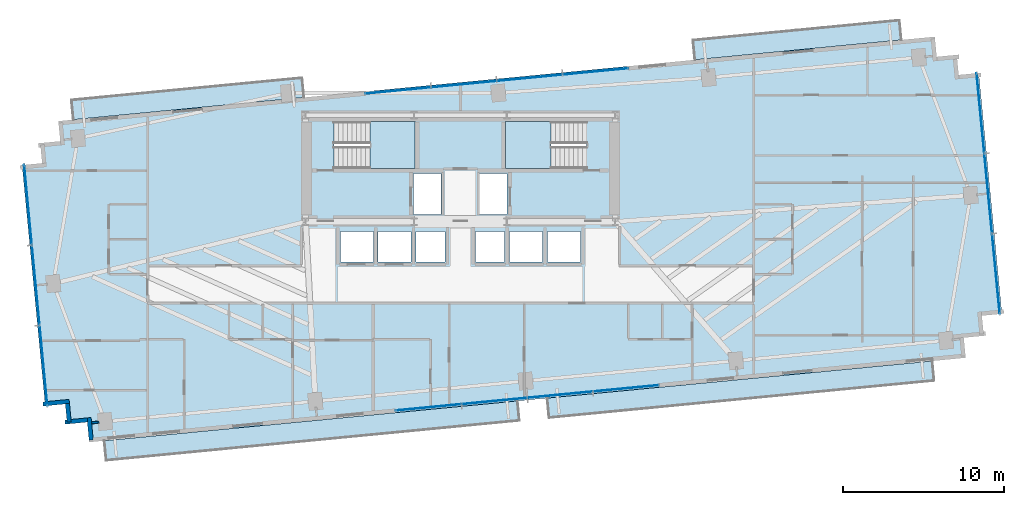
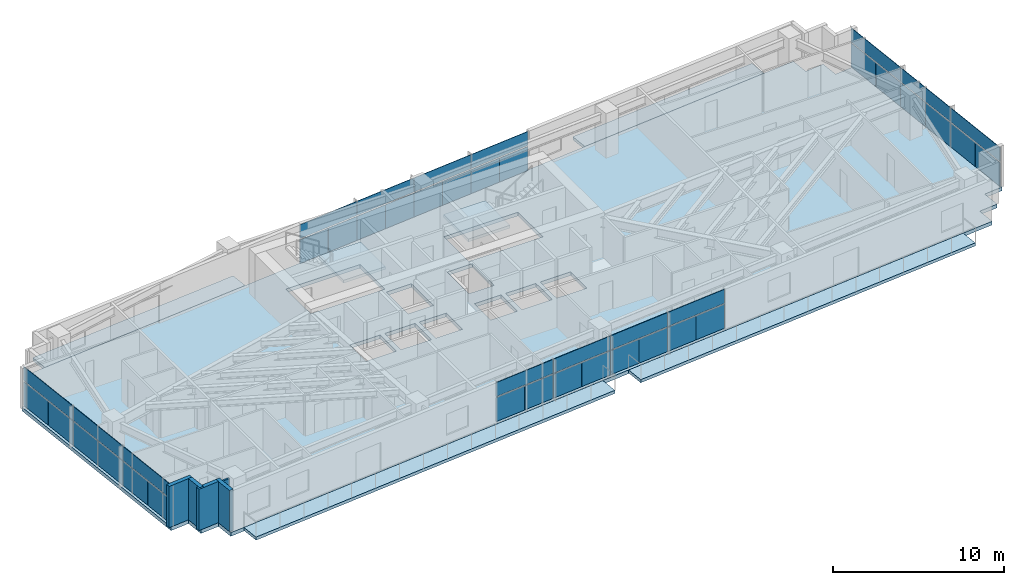
# One storey, part 18 of 25: 42 plates, 7 slabs, 5 walls, 6 elements without a shape of their own.
"""IFC4 building model written with IfcOpenShell, lengths in metres."""

from ifc_helpers import new_model, si_unit, direction, frame, frame_2d, origin, origin_2d, place, context, subcontext, project, spatial, polyline, rectangle, outline, extrude, source, transform, mapped, material, layer, layer_set, type_object, type_shapes, element, aggregate, save


model = new_model("IFC4")

# Units and contexts
model_context = context("Model", 3, precision=1e-05, world=origin(), true_north=direction((0.0, 1.0)))
body_context = subcontext(model_context, "Body", "Model", "MODEL_VIEW")
ifc_project = project(units=[si_unit("LENGTHUNIT", "METRE"), si_unit("AREAUNIT", "SQUARE_METRE"), si_unit("VOLUMEUNIT", "CUBIC_METRE"), si_unit("PLANEANGLEUNIT", "RADIAN"), si_unit("MASSUNIT", "GRAM", prefix="KILO")], contexts=[model_context])

# Site, building, storey
site_placement = place(None, origin())
site = spatial("IfcSite", under=ifc_project, at=site_placement, CompositionType="ELEMENT")
building_placement = place(site_placement, origin())
building = spatial("IfcBuilding", under=site, at=building_placement, Name="Astriad Promenade Condominiums", CompositionType="ELEMENT")
storey_placement = place(building_placement, frame((0.0, 0.0, 81.0)))
storey = spatial("IfcBuildingStorey", under=building, at=storey_placement, Name="L22", CompositionType="ELEMENT", Elevation=81.0)

# Slab
ifc_material_1 = material(Name="Concrete C50/60", Category="concrete")
ifc_layer_1 = layer(ifc_material_1, 0.260009765625)
ifc_layer_set_1 = layer_set([ifc_layer_1], Name="Concrete C50/60")
slab_type_1 = type_object("IfcSlabType", Name="CONCRETE TOWER FLOOR SLAB 260", PredefinedType="FLOOR", material=ifc_layer_set_1)
slab_1_placement = place(storey_placement, frame((0.0, 0.0, -0.260009765625)))
element("IfcSlab", 1, at=slab_1_placement, inside=storey, type_object=slab_type_1, Name="Structural Floor Slab (L22)", PredefinedType="FLOOR", context=body_context, shape_type="SweptSolid", body=[
    extrude(outline(polyline([(12.984130859375, 3.7294921875), (67.332763671875, 8.962646484375), (67.212890625, 10.206787109375), (68.457275390625, 10.32666015625), (68.33740234375, 11.57080078125), (69.58154296875, 11.690673828125), (68.14404296875, 26.62158203125), (66.899658203125, 26.501953125), (66.77978515625, 27.74609375), (65.53564453125, 27.626220703125), (65.416015625, 28.87060546875), (11.067138671875, 23.637451171875), (11.18701171875, 22.39306640625), (9.94287109375, 22.273193359375), (10.0625, 21.029052734375), (8.818359375, 20.9091796875), (10.256103515625, 5.978271484375), (11.500244140625, 6.09814453125), (11.6201171875, 4.85400390625), (12.8642578125, 4.9736328125), (12.984130859375, 3.7294921875)]), holes=[polyline([(28.175048828125, 20.699951171875), (33.175048828125, 20.699951171875), (33.175048828125, 23.60009765625), (28.175048828125, 23.60009765625), (28.175048828125, 20.699951171875)]), polyline([(38.824951171875, 20.699951171875), (43.824951171875, 20.699951171875), (43.824951171875, 23.60009765625), (38.824951171875, 23.60009765625), (38.824951171875, 20.699951171875)]), polyline([(33.10009765625, 17.85009765625), (34.800048828125, 17.85009765625), (34.800048828125, 20.39990234375), (33.10009765625, 20.39990234375), (33.10009765625, 17.85009765625)]), polyline([(37.199951171875, 17.85009765625), (38.89990234375, 17.85009765625), (38.89990234375, 20.39990234375), (37.199951171875, 20.39990234375), (37.199951171875, 17.85009765625)]), polyline([(28.550048828125, 14.89990234375), (30.60009765625, 14.89990234375), (30.60009765625, 16.800048828125), (28.550048828125, 16.800048828125), (28.550048828125, 14.89990234375)]), polyline([(30.89990234375, 14.89990234375), (32.949951171875, 14.89990234375), (32.949951171875, 16.800048828125), (30.89990234375, 16.800048828125), (30.89990234375, 14.89990234375)]), polyline([(33.25, 14.89990234375), (35.050048828125, 14.89990234375), (35.050048828125, 16.800048828125), (33.25, 16.800048828125), (33.25, 14.89990234375)]), polyline([(36.949951171875, 14.89990234375), (38.75, 14.89990234375), (38.75, 16.800048828125), (36.949951171875, 16.800048828125), (36.949951171875, 14.89990234375)]), polyline([(39.050048828125, 14.89990234375), (41.10009765625, 14.89990234375), (41.10009765625, 16.800048828125), (39.050048828125, 16.800048828125), (39.050048828125, 14.89990234375)]), polyline([(41.39990234375, 14.89990234375), (43.449951171875, 14.89990234375), (43.449951171875, 16.800048828125), (41.39990234375, 16.800048828125), (41.39990234375, 14.89990234375)])]), origin(), (0.0, 0.0, 1.0), 0.260009765625),
])

# Stair, slab
stair_type = type_object("IfcStairType", Name="STR-CORE-1350", PredefinedType="HALF_TURN_STAIR", material=ifc_material_1)
stair_1_placement = place(storey_placement, origin())
stair_1 = element("IfcStair", 2, at=stair_1_placement, inside=storey, type_object=stair_type, Name="L22 Enclosed Core Exit Stair ST-1", PredefinedType="HALF_TURN_STAIR")
ifc_layer_2 = layer(ifc_material_1, 0.219970703125)
ifc_layer_set_2 = layer_set([ifc_layer_2], Name="Concrete C50/60")
slab_type_2 = type_object("IfcSlabType", Name="SLB-LANDING-220", PredefinedType="LANDING", material=ifc_layer_set_2)
slab_2_placement = place(storey_placement, frame((0.0, 0.0, 1.39990234375)))
slab_2 = element("IfcSlab", 3, at=slab_2_placement, type_object=slab_type_2, Name="ST-1 landing 1", PredefinedType="LANDING", context=body_context, shape_type="SweptSolid", body=[
    extrude(outline(polyline([(30.389892578125, 20.699951171875), (33.199951171875, 20.699951171875), (33.199951171875, 23.60009765625), (30.389892578125, 23.60009765625), (30.389892578125, 20.699951171875)])), origin(), (0.0, 0.0, 1.0), 0.2001953125),
])
aggregate(stair_1, [slab_2])

stair_2_placement = place(storey_placement, origin())
stair_2 = element("IfcStair", 4, at=stair_2_placement, inside=storey, type_object=stair_type, Name="L22 Enclosed Core Exit Stair ST-2", PredefinedType="HALF_TURN_STAIR")
slab_3_placement = place(storey_placement, frame((0.0, 0.0, 1.39990234375)))
slab_3 = element("IfcSlab", 5, at=slab_3_placement, type_object=slab_type_2, Name="ST-2 landing 1", PredefinedType="LANDING", context=body_context, shape_type="SweptSolid", body=[
    extrude(outline(polyline([(41.610107421875, 23.60009765625), (38.800048828125, 23.60009765625), (38.800048828125, 20.699951171875), (41.610107421875, 20.699951171875), (41.610107421875, 23.60009765625)])), origin(), (0.0, 0.0, 1.0), 0.2001953125),
])
aggregate(stair_2, [slab_3])

# Slabs
ifc_material_2 = material(Name="Precast concrete C50/60", Category="concrete")
ifc_layer_3 = layer(ifc_material_2, 0.219970703125)
ifc_layer_set_3 = layer_set([ifc_layer_3], Name="Precast concrete C50/60")
slab_type_3 = type_object("IfcSlabType", Name="WHITE PRECAST CONCRETE WAVE BALCONY SLAB 220", PredefinedType="FLOOR", material=ifc_layer_set_3)
slab_4_placement = place(storey_placement, frame((0.0, 0.0, -0.219970703125)))
element("IfcSlab", 6, at=slab_4_placement, inside=storey, type_object=slab_type_3, Name="White Precast Wave Balcony Slab BAL-L22-SW", PredefinedType="FLOOR", context=body_context, shape_type="SweptSolid", body=[
    extrude(outline(polyline([(39.6552734375, 5.072021484375), (14.035888671875, 2.60498046875), (13.9189453125, 3.8173828125), (39.53857421875, 6.2841796875), (39.6552734375, 5.072021484375)])), origin(), (0.0, 0.0, 1.0), 0.219970703125),
])
slab_5_placement = place(storey_placement, frame((0.0, 0.0, -0.219970703125)))
element("IfcSlab", 7, at=slab_5_placement, inside=storey, type_object=slab_type_3, Name="White Precast Wave Balcony Slab BAL-L22-SE", PredefinedType="FLOOR", context=body_context, shape_type="SweptSolid", body=[
    extrude(outline(polyline([(65.376220703125, 7.548583984375), (41.501708984375, 5.249755859375), (41.385009765625, 6.462158203125), (65.259521484375, 8.760986328125), (65.376220703125, 7.548583984375)])), origin(), (0.0, 0.0, 1.0), 0.219970703125),
])
slab_6_placement = place(storey_placement, frame((0.0, 0.0, -0.219970703125)))
element("IfcSlab", 8, at=slab_6_placement, inside=storey, type_object=slab_type_3, Name="White Precast Wave Balcony Slab BAL-L22-NW", PredefinedType="FLOOR", context=body_context, shape_type="SweptSolid", body=[
    extrude(outline(polyline([(11.885009765625, 24.94189453125), (26.179931640625, 26.318115234375), (26.296630859375, 25.105712890625), (12.001708984375, 23.7294921875), (11.885009765625, 24.94189453125)])), origin(), (0.0, 0.0, 1.0), 0.219970703125),
])
slab_7_placement = place(storey_placement, frame((0.0, 0.0, -0.219970703125)))
element("IfcSlab", 9, at=slab_7_placement, inside=storey, type_object=slab_type_3, Name="White Precast Wave Balcony Slab BAL-L22-NE", PredefinedType="FLOOR", context=body_context, shape_type="SweptSolid", body=[
    extrude(outline(polyline([(50.427734375, 28.653076171875), (63.2255859375, 29.88525390625), (63.34228515625, 28.6728515625), (50.54443359375, 27.440673828125), (50.427734375, 28.653076171875)])), origin(), (0.0, 0.0, 1.0), 0.219970703125),
])

# Curtain wall, plates
ifc_material_3 = material(Name="Anodised aluminium Black Dark Glass Unitised", Category="aluminium")
curtain_wall_type = type_object("IfcCurtainWallType", Name="CW-B2-DARK", PredefinedType="USERDEFINED", material=ifc_material_3)
curtain_wall_1_placement = place(storey_placement, origin())
curtain_wall_1 = element("IfcCurtainWall", 10, at=curtain_wall_1_placement, inside=storey, type_object=curtain_wall_type, Name="CW-L22-W", ObjectType="UNITISED_CURTAIN_WALL", PredefinedType="USERDEFINED")
ifc_material_4 = material(Name="Dark Tinted Low-E Laminated Glass", Category="glass")
ifc_layer_4 = layer(ifc_material_4, 0.035888671875)
ifc_layer_set_4 = layer_set([ifc_layer_4], Name="Dark Tinted Low-E Laminated Glass")
plate_type = type_object("IfcPlateType", Name="PNL-DARK-GLASS-36", PredefinedType="CURTAIN_PANEL", material=ifc_layer_set_4)
shared_shape_1 = source(origin(), body_context, "Body", "SweptSolid", [
    extrude(rectangle(XDim=2.488037109375, YDim=0.035888671875, at=origin_2d()), origin(), (0.0, 0.0, 1.0), 1.702880859375),
])
plate_1_placement = place(storey_placement, frame((10.265625, 7.235107421875, 0.080078125), z_axis=(0.0, 0.0, 1.0), x_axis=(-0.09584575252, 0.995396198367, 0.0)))
plate_1 = element("IfcPlate", 11, at=plate_1_placement, type_object=plate_type, Name="CW-L22-W-PNL-00-VL", PredefinedType="CURTAIN_PANEL", context=body_context, shape_type="MappedRepresentation", body=[
    mapped(shared_shape_1, transform((0.0, 0.0, 0.0), scale=1.0)),
])
plate_2_placement = place(storey_placement, frame((10.02587890625, 9.723388671875, 0.080078125), z_axis=(0.0, 0.0, 1.0), x_axis=(-0.09584575252, 0.995396198367, 0.0)))
plate_2 = element("IfcPlate", 12, at=plate_2_placement, type_object=plate_type, Name="CW-L22-W-PNL-00-VR", PredefinedType="CURTAIN_PANEL", context=body_context, shape_type="MappedRepresentation", body=[
    mapped(shared_shape_1, transform((0.0, 0.0, 0.0), scale=1.0)),
])
plate_3_placement = place(storey_placement, frame((9.786376953125, 12.212158203125, 0.080078125), z_axis=(0.0, 0.0, 1.0), x_axis=(-0.09584575252, 0.995396198367, 0.0)))
plate_3 = element("IfcPlate", 13, at=plate_3_placement, type_object=plate_type, Name="CW-L22-W-PNL-01-VL", PredefinedType="CURTAIN_PANEL", context=body_context, shape_type="MappedRepresentation", body=[
    mapped(shared_shape_1, transform((0.0, 0.0, 0.0), scale=1.0)),
])
plate_4_placement = place(storey_placement, frame((9.546875, 14.700439453125, 0.080078125), z_axis=(0.0, 0.0, 1.0), x_axis=(-0.09584575252, 0.995396198367, 0.0)))
plate_4 = element("IfcPlate", 14, at=plate_4_placement, type_object=plate_type, Name="CW-L22-W-PNL-01-VR", PredefinedType="CURTAIN_PANEL", context=body_context, shape_type="MappedRepresentation", body=[
    mapped(shared_shape_1, transform((0.0, 0.0, 0.0), scale=1.0)),
])
plate_5_placement = place(storey_placement, frame((9.30712890625, 17.189208984375, 0.080078125), z_axis=(0.0, 0.0, 1.0), x_axis=(-0.09584575252, 0.995396198367, 0.0)))
plate_5 = element("IfcPlate", 15, at=plate_5_placement, type_object=plate_type, Name="CW-L22-W-PNL-02-VL", PredefinedType="CURTAIN_PANEL", context=body_context, shape_type="MappedRepresentation", body=[
    mapped(shared_shape_1, transform((0.0, 0.0, 0.0), scale=1.0)),
])
plate_6_placement = place(storey_placement, frame((9.067626953125, 19.677490234375, 0.080078125), z_axis=(0.0, 0.0, 1.0), x_axis=(-0.09584575252, 0.995396198367, 0.0)))
plate_6 = element("IfcPlate", 16, at=plate_6_placement, type_object=plate_type, Name="CW-L22-W-PNL-02-VR", PredefinedType="CURTAIN_PANEL", context=body_context, shape_type="MappedRepresentation", body=[
    mapped(shared_shape_1, transform((0.0, 0.0, 0.0), scale=1.0)),
])

curtain_wall_2_placement = place(storey_placement, origin())
curtain_wall_2 = element("IfcCurtainWall", 17, at=curtain_wall_2_placement, inside=storey, type_object=curtain_wall_type, Name="CW-L22-E", ObjectType="UNITISED_CURTAIN_WALL", PredefinedType="USERDEFINED")
plate_7_placement = place(storey_placement, frame((68.134521484375, 25.364990234375, 0.080078125), z_axis=(0.0, 0.0, 1.0), x_axis=(0.09584575252, -0.995396198367, 0.0)))
plate_7 = element("IfcPlate", 18, at=plate_7_placement, type_object=plate_type, Name="CW-L22-E-PNL-00-VL", PredefinedType="CURTAIN_PANEL", context=body_context, shape_type="MappedRepresentation", body=[
    mapped(shared_shape_1, transform((0.0, 0.0, 0.0), scale=1.0)),
])
plate_8_placement = place(storey_placement, frame((68.3740234375, 22.87646484375, 0.080078125), z_axis=(0.0, 0.0, 1.0), x_axis=(0.09584575252, -0.995396198367, 0.0)))
plate_8 = element("IfcPlate", 19, at=plate_8_placement, type_object=plate_type, Name="CW-L22-E-PNL-00-VR", PredefinedType="CURTAIN_PANEL", context=body_context, shape_type="MappedRepresentation", body=[
    mapped(shared_shape_1, transform((0.0, 0.0, 0.0), scale=1.0)),
])
plate_9_placement = place(storey_placement, frame((68.613525390625, 20.387939453125, 0.080078125), z_axis=(0.0, 0.0, 1.0), x_axis=(0.09584575252, -0.995396198367, 0.0)))
plate_9 = element("IfcPlate", 20, at=plate_9_placement, type_object=plate_type, Name="CW-L22-E-PNL-01-VL", PredefinedType="CURTAIN_PANEL", context=body_context, shape_type="MappedRepresentation", body=[
    mapped(shared_shape_1, transform((0.0, 0.0, 0.0), scale=1.0)),
])
plate_10_placement = place(storey_placement, frame((68.853271484375, 17.8994140625, 0.080078125), z_axis=(0.0, 0.0, 1.0), x_axis=(0.09584575252, -0.995396198367, 0.0)))
plate_10 = element("IfcPlate", 21, at=plate_10_placement, type_object=plate_type, Name="CW-L22-E-PNL-01-VR", PredefinedType="CURTAIN_PANEL", context=body_context, shape_type="MappedRepresentation", body=[
    mapped(shared_shape_1, transform((0.0, 0.0, 0.0), scale=1.0)),
])
plate_11_placement = place(storey_placement, frame((69.0927734375, 15.410888671875, 0.080078125), z_axis=(0.0, 0.0, 1.0), x_axis=(0.09584575252, -0.995396198367, 0.0)))
plate_11 = element("IfcPlate", 22, at=plate_11_placement, type_object=plate_type, Name="CW-L22-E-PNL-02-VL", PredefinedType="CURTAIN_PANEL", context=body_context, shape_type="MappedRepresentation", body=[
    mapped(shared_shape_1, transform((0.0, 0.0, 0.0), scale=1.0)),
])
plate_12_placement = place(storey_placement, frame((69.33251953125, 12.922607421875, 0.080078125), z_axis=(0.0, 0.0, 1.0), x_axis=(0.09584575252, -0.995396198367, 0.0)))
plate_12 = element("IfcPlate", 23, at=plate_12_placement, type_object=plate_type, Name="CW-L22-E-PNL-02-VR", PredefinedType="CURTAIN_PANEL", context=body_context, shape_type="MappedRepresentation", body=[
    mapped(shared_shape_1, transform((0.0, 0.0, 0.0), scale=1.0)),
])

# Plate
shared_shape_2 = source(origin(), body_context, "Body", "SweptSolid", [
    extrude(rectangle(XDim=4.988037109375, YDim=0.035888671875, at=origin_2d()), origin(), (0.0, 0.0, 1.0), 0.997314453125),
])
plate_13_placement = place(storey_placement, frame((10.145751953125, 8.479248046875, 1.86279296875), z_axis=(0.0, 0.0, 1.0), x_axis=(-0.09584575252, 0.995396198367, 0.0)))
plate_13 = element("IfcPlate", 24, at=plate_13_placement, type_object=plate_type, Name="CW-L22-W-PNL-00-S", PredefinedType="CURTAIN_PANEL", context=body_context, shape_type="MappedRepresentation", body=[
    mapped(shared_shape_2, transform((0.0, 0.0, 0.0), scale=1.0)),
])

plate_14_placement = place(storey_placement, frame((9.66650390625, 13.456298828125, 1.86279296875), z_axis=(0.0, 0.0, 1.0), x_axis=(-0.09584575252, 0.995396198367, 0.0)))
plate_14 = element("IfcPlate", 25, at=plate_14_placement, type_object=plate_type, Name="CW-L22-W-PNL-01-S", PredefinedType="CURTAIN_PANEL", context=body_context, shape_type="MappedRepresentation", body=[
    mapped(shared_shape_2, transform((0.0, 0.0, 0.0), scale=1.0)),
])

plate_15_placement = place(storey_placement, frame((9.1875, 18.433349609375, 1.86279296875), z_axis=(0.0, 0.0, 1.0), x_axis=(-0.09584575252, 0.995396198367, 0.0)))
plate_15 = element("IfcPlate", 26, at=plate_15_placement, type_object=plate_type, Name="CW-L22-W-PNL-02-S", PredefinedType="CURTAIN_PANEL", context=body_context, shape_type="MappedRepresentation", body=[
    mapped(shared_shape_2, transform((0.0, 0.0, 0.0), scale=1.0)),
])

aggregate(curtain_wall_1, [plate_1, plate_2, plate_13, plate_3, plate_4, plate_14, plate_5, plate_6, plate_15])

plate_16_placement = place(storey_placement, frame((68.254150390625, 24.12060546875, 1.86279296875), z_axis=(0.0, 0.0, 1.0), x_axis=(0.09584575252, -0.995396198367, 0.0)))
plate_16 = element("IfcPlate", 27, at=plate_16_placement, type_object=plate_type, Name="CW-L22-E-PNL-00-S", PredefinedType="CURTAIN_PANEL", context=body_context, shape_type="MappedRepresentation", body=[
    mapped(shared_shape_2, transform((0.0, 0.0, 0.0), scale=1.0)),
])

plate_17_placement = place(storey_placement, frame((68.7333984375, 19.143798828125, 1.86279296875), z_axis=(0.0, 0.0, 1.0), x_axis=(0.09584575252, -0.995396198367, 0.0)))
plate_17 = element("IfcPlate", 28, at=plate_17_placement, type_object=plate_type, Name="CW-L22-E-PNL-01-S", PredefinedType="CURTAIN_PANEL", context=body_context, shape_type="MappedRepresentation", body=[
    mapped(shared_shape_2, transform((0.0, 0.0, 0.0), scale=1.0)),
])

plate_18_placement = place(storey_placement, frame((69.212646484375, 14.166748046875, 1.86279296875), z_axis=(0.0, 0.0, 1.0), x_axis=(0.09584575252, -0.995396198367, 0.0)))
plate_18 = element("IfcPlate", 29, at=plate_18_placement, type_object=plate_type, Name="CW-L22-E-PNL-02-S", PredefinedType="CURTAIN_PANEL", context=body_context, shape_type="MappedRepresentation", body=[
    mapped(shared_shape_2, transform((0.0, 0.0, 0.0), scale=1.0)),
])

aggregate(curtain_wall_2, [plate_7, plate_8, plate_16, plate_9, plate_10, plate_17, plate_11, plate_12, plate_18])

# Curtain wall, plates
curtain_wall_3_placement = place(storey_placement, origin())
curtain_wall_3 = element("IfcCurtainWall", 30, at=curtain_wall_3_placement, inside=storey, type_object=curtain_wall_type, Name="CW-L22-N", ObjectType="UNITISED_CURTAIN_WALL", PredefinedType="USERDEFINED")
shared_shape_3 = source(origin(), body_context, "Body", "SweptSolid", [
    extrude(rectangle(XDim=2.035400390625, YDim=0.035888671875, at=origin_2d()), origin(), (0.0, 0.0, 1.0), 1.702880859375),
])
plate_19_placement = place(storey_placement, frame((31.12060546875, 25.437744140625, 0.080078125), z_axis=(0.0, 0.0, 1.0), x_axis=(0.995396198367, 0.09584575252, 0.0)))
plate_19 = element("IfcPlate", 31, at=plate_19_placement, type_object=plate_type, Name="CW-L22-N-PNL-00-VL", PredefinedType="CURTAIN_PANEL", context=body_context, shape_type="MappedRepresentation", body=[
    mapped(shared_shape_3, transform((0.0, 0.0, 0.0), scale=1.0)),
])
plate_20_placement = place(storey_placement, frame((33.15869140625, 25.634033203125, 0.080078125), z_axis=(0.0, 0.0, 1.0), x_axis=(0.995396198367, 0.09584575252, 0.0)))
plate_20 = element("IfcPlate", 32, at=plate_20_placement, type_object=plate_type, Name="CW-L22-N-PNL-00-VR", PredefinedType="CURTAIN_PANEL", context=body_context, shape_type="MappedRepresentation", body=[
    mapped(shared_shape_3, transform((0.0, 0.0, 0.0), scale=1.0)),
])
plate_21_placement = place(storey_placement, frame((35.19677734375, 25.830078125, 0.080078125), z_axis=(0.0, 0.0, 1.0), x_axis=(0.995396198367, 0.09584575252, 0.0)))
plate_21 = element("IfcPlate", 33, at=plate_21_placement, type_object=plate_type, Name="CW-L22-N-PNL-01-VL", PredefinedType="CURTAIN_PANEL", context=body_context, shape_type="MappedRepresentation", body=[
    mapped(shared_shape_3, transform((0.0, 0.0, 0.0), scale=1.0)),
])
plate_22_placement = place(storey_placement, frame((37.23486328125, 26.026611328125, 0.080078125), z_axis=(0.0, 0.0, 1.0), x_axis=(0.995396198367, 0.09584575252, 0.0)))
plate_22 = element("IfcPlate", 34, at=plate_22_placement, type_object=plate_type, Name="CW-L22-N-PNL-01-VR", PredefinedType="CURTAIN_PANEL", context=body_context, shape_type="MappedRepresentation", body=[
    mapped(shared_shape_3, transform((0.0, 0.0, 0.0), scale=1.0)),
])
plate_23_placement = place(storey_placement, frame((39.27294921875, 26.22265625, 0.080078125), z_axis=(0.0, 0.0, 1.0), x_axis=(0.995396198367, 0.09584575252, 0.0)))
plate_23 = element("IfcPlate", 35, at=plate_23_placement, type_object=plate_type, Name="CW-L22-N-PNL-02-VL", PredefinedType="CURTAIN_PANEL", context=body_context, shape_type="MappedRepresentation", body=[
    mapped(shared_shape_3, transform((0.0, 0.0, 0.0), scale=1.0)),
])
plate_24_placement = place(storey_placement, frame((41.31103515625, 26.4189453125, 0.080078125), z_axis=(0.0, 0.0, 1.0), x_axis=(0.995396198367, 0.09584575252, 0.0)))
plate_24 = element("IfcPlate", 36, at=plate_24_placement, type_object=plate_type, Name="CW-L22-N-PNL-02-VR", PredefinedType="CURTAIN_PANEL", context=body_context, shape_type="MappedRepresentation", body=[
    mapped(shared_shape_3, transform((0.0, 0.0, 0.0), scale=1.0)),
])
plate_25_placement = place(storey_placement, frame((43.34912109375, 26.615234375, 0.080078125), z_axis=(0.0, 0.0, 1.0), x_axis=(0.995396198367, 0.09584575252, 0.0)))
plate_25 = element("IfcPlate", 37, at=plate_25_placement, type_object=plate_type, Name="CW-L22-N-PNL-03-VL", PredefinedType="CURTAIN_PANEL", context=body_context, shape_type="MappedRepresentation", body=[
    mapped(shared_shape_3, transform((0.0, 0.0, 0.0), scale=1.0)),
])
plate_26_placement = place(storey_placement, frame((45.38720703125, 26.8115234375, 0.080078125), z_axis=(0.0, 0.0, 1.0), x_axis=(0.995396198367, 0.09584575252, 0.0)))
plate_26 = element("IfcPlate", 38, at=plate_26_placement, type_object=plate_type, Name="CW-L22-N-PNL-03-VR", PredefinedType="CURTAIN_PANEL", context=body_context, shape_type="MappedRepresentation", body=[
    mapped(shared_shape_3, transform((0.0, 0.0, 0.0), scale=1.0)),
])

curtain_wall_4_placement = place(storey_placement, origin())
curtain_wall_4 = element("IfcCurtainWall", 39, at=curtain_wall_4_placement, inside=storey, type_object=curtain_wall_type, Name="CW-L22-S", ObjectType="UNITISED_CURTAIN_WALL", PredefinedType="USERDEFINED")
plate_27_placement = place(storey_placement, frame((47.279296875, 7.162353515625, 0.080078125), z_axis=(0.0, 0.0, 1.0), x_axis=(-0.995396198367, -0.09584575252, 0.0)))
plate_27 = element("IfcPlate", 40, at=plate_27_placement, type_object=plate_type, Name="CW-L22-S-PNL-00-VL", PredefinedType="CURTAIN_PANEL", context=body_context, shape_type="MappedRepresentation", body=[
    mapped(shared_shape_3, transform((0.0, 0.0, 0.0), scale=1.0)),
])
plate_28_placement = place(storey_placement, frame((45.2412109375, 6.966064453125, 0.080078125), z_axis=(0.0, 0.0, 1.0), x_axis=(-0.995396198367, -0.09584575252, 0.0)))
plate_28 = element("IfcPlate", 41, at=plate_28_placement, type_object=plate_type, Name="CW-L22-S-PNL-00-VR", PredefinedType="CURTAIN_PANEL", context=body_context, shape_type="MappedRepresentation", body=[
    mapped(shared_shape_3, transform((0.0, 0.0, 0.0), scale=1.0)),
])
plate_29_placement = place(storey_placement, frame((43.203125, 6.769775390625, 0.080078125), z_axis=(0.0, 0.0, 1.0), x_axis=(-0.995396198367, -0.09584575252, 0.0)))
plate_29 = element("IfcPlate", 42, at=plate_29_placement, type_object=plate_type, Name="CW-L22-S-PNL-01-VL", PredefinedType="CURTAIN_PANEL", context=body_context, shape_type="MappedRepresentation", body=[
    mapped(shared_shape_3, transform((0.0, 0.0, 0.0), scale=1.0)),
])
plate_30_placement = place(storey_placement, frame((41.1650390625, 6.573486328125, 0.080078125), z_axis=(0.0, 0.0, 1.0), x_axis=(-0.995396198367, -0.09584575252, 0.0)))
plate_30 = element("IfcPlate", 43, at=plate_30_placement, type_object=plate_type, Name="CW-L22-S-PNL-01-VR", PredefinedType="CURTAIN_PANEL", context=body_context, shape_type="MappedRepresentation", body=[
    mapped(shared_shape_3, transform((0.0, 0.0, 0.0), scale=1.0)),
])
plate_31_placement = place(storey_placement, frame((39.126953125, 6.377197265625, 0.080078125), z_axis=(0.0, 0.0, 1.0), x_axis=(-0.995396198367, -0.09584575252, 0.0)))
plate_31 = element("IfcPlate", 44, at=plate_31_placement, type_object=plate_type, Name="CW-L22-S-PNL-02-VL", PredefinedType="CURTAIN_PANEL", context=body_context, shape_type="MappedRepresentation", body=[
    mapped(shared_shape_3, transform((0.0, 0.0, 0.0), scale=1.0)),
])
plate_32_placement = place(storey_placement, frame((37.0888671875, 6.180908203125, 0.080078125), z_axis=(0.0, 0.0, 1.0), x_axis=(-0.995396198367, -0.09584575252, 0.0)))
plate_32 = element("IfcPlate", 45, at=plate_32_placement, type_object=plate_type, Name="CW-L22-S-PNL-02-VR", PredefinedType="CURTAIN_PANEL", context=body_context, shape_type="MappedRepresentation", body=[
    mapped(shared_shape_3, transform((0.0, 0.0, 0.0), scale=1.0)),
])
plate_33_placement = place(storey_placement, frame((35.05078125, 5.98486328125, 0.080078125), z_axis=(0.0, 0.0, 1.0), x_axis=(-0.995396198367, -0.09584575252, 0.0)))
plate_33 = element("IfcPlate", 46, at=plate_33_placement, type_object=plate_type, Name="CW-L22-S-PNL-03-VL", PredefinedType="CURTAIN_PANEL", context=body_context, shape_type="MappedRepresentation", body=[
    mapped(shared_shape_3, transform((0.0, 0.0, 0.0), scale=1.0)),
])
plate_34_placement = place(storey_placement, frame((33.0126953125, 5.78857421875, 0.080078125), z_axis=(0.0, 0.0, 1.0), x_axis=(-0.995396198367, -0.09584575252, 0.0)))
plate_34 = element("IfcPlate", 47, at=plate_34_placement, type_object=plate_type, Name="CW-L22-S-PNL-03-VR", PredefinedType="CURTAIN_PANEL", context=body_context, shape_type="MappedRepresentation", body=[
    mapped(shared_shape_3, transform((0.0, 0.0, 0.0), scale=1.0)),
])

# Plate
shared_shape_4 = source(origin(), body_context, "Body", "SweptSolid", [
    extrude(rectangle(XDim=4.0830078125, YDim=0.035888671875, at=origin_2d()), origin(), (0.0, 0.0, 1.0), 0.997314453125),
])
type_shapes(plate_type, [shared_shape_1, shared_shape_2, shared_shape_3, shared_shape_4])
plate_35_placement = place(storey_placement, frame((32.1396484375, 25.535888671875, 1.86279296875), z_axis=(0.0, 0.0, 1.0), x_axis=(0.995396198367, 0.09584575252, 0.0)))
plate_35 = element("IfcPlate", 48, at=plate_35_placement, type_object=plate_type, Name="CW-L22-N-PNL-00-S", PredefinedType="CURTAIN_PANEL", context=body_context, shape_type="MappedRepresentation", body=[
    mapped(shared_shape_4, transform((0.0, 0.0, 0.0), scale=1.0)),
])

plate_36_placement = place(storey_placement, frame((36.2158203125, 25.928466796875, 1.86279296875), z_axis=(0.0, 0.0, 1.0), x_axis=(0.995396198367, 0.09584575252, 0.0)))
plate_36 = element("IfcPlate", 49, at=plate_36_placement, type_object=plate_type, Name="CW-L22-N-PNL-01-S", PredefinedType="CURTAIN_PANEL", context=body_context, shape_type="MappedRepresentation", body=[
    mapped(shared_shape_4, transform((0.0, 0.0, 0.0), scale=1.0)),
])

plate_37_placement = place(storey_placement, frame((40.2919921875, 26.32080078125, 1.86279296875), z_axis=(0.0, 0.0, 1.0), x_axis=(0.995396198367, 0.09584575252, 0.0)))
plate_37 = element("IfcPlate", 50, at=plate_37_placement, type_object=plate_type, Name="CW-L22-N-PNL-02-S", PredefinedType="CURTAIN_PANEL", context=body_context, shape_type="MappedRepresentation", body=[
    mapped(shared_shape_4, transform((0.0, 0.0, 0.0), scale=1.0)),
])

plate_38_placement = place(storey_placement, frame((44.368408203125, 26.71337890625, 1.86279296875), z_axis=(0.0, 0.0, 1.0), x_axis=(0.995396198367, 0.09584575252, 0.0)))
plate_38 = element("IfcPlate", 51, at=plate_38_placement, type_object=plate_type, Name="CW-L22-N-PNL-03-S", PredefinedType="CURTAIN_PANEL", context=body_context, shape_type="MappedRepresentation", body=[
    mapped(shared_shape_4, transform((0.0, 0.0, 0.0), scale=1.0)),
])

aggregate(curtain_wall_3, [plate_19, plate_20, plate_35, plate_21, plate_22, plate_36, plate_23, plate_24, plate_37, plate_25, plate_26, plate_38])

plate_39_placement = place(storey_placement, frame((46.26025390625, 7.064208984375, 1.86279296875), z_axis=(0.0, 0.0, 1.0), x_axis=(-0.995396198367, -0.09584575252, 0.0)))
plate_39 = element("IfcPlate", 52, at=plate_39_placement, type_object=plate_type, Name="CW-L22-S-PNL-00-S", PredefinedType="CURTAIN_PANEL", context=body_context, shape_type="MappedRepresentation", body=[
    mapped(shared_shape_4, transform((0.0, 0.0, 0.0), scale=1.0)),
])

plate_40_placement = place(storey_placement, frame((42.18408203125, 6.671630859375, 1.86279296875), z_axis=(0.0, 0.0, 1.0), x_axis=(-0.995396198367, -0.09584575252, 0.0)))
plate_40 = element("IfcPlate", 53, at=plate_40_placement, type_object=plate_type, Name="CW-L22-S-PNL-01-S", PredefinedType="CURTAIN_PANEL", context=body_context, shape_type="MappedRepresentation", body=[
    mapped(shared_shape_4, transform((0.0, 0.0, 0.0), scale=1.0)),
])

plate_41_placement = place(storey_placement, frame((38.10791015625, 6.279052734375, 1.86279296875), z_axis=(0.0, 0.0, 1.0), x_axis=(-0.995396198367, -0.09584575252, 0.0)))
plate_41 = element("IfcPlate", 54, at=plate_41_placement, type_object=plate_type, Name="CW-L22-S-PNL-02-S", PredefinedType="CURTAIN_PANEL", context=body_context, shape_type="MappedRepresentation", body=[
    mapped(shared_shape_4, transform((0.0, 0.0, 0.0), scale=1.0)),
])

plate_42_placement = place(storey_placement, frame((34.03173828125, 5.88671875, 1.86279296875), z_axis=(0.0, 0.0, 1.0), x_axis=(-0.995396198367, -0.09584575252, 0.0)))
plate_42 = element("IfcPlate", 55, at=plate_42_placement, type_object=plate_type, Name="CW-L22-S-PNL-03-S", PredefinedType="CURTAIN_PANEL", context=body_context, shape_type="MappedRepresentation", body=[
    mapped(shared_shape_4, transform((0.0, 0.0, 0.0), scale=1.0)),
])

aggregate(curtain_wall_4, [plate_27, plate_28, plate_39, plate_29, plate_30, plate_40, plate_31, plate_32, plate_41, plate_33, plate_34, plate_42])

# Walls
ifc_layer_5 = layer(ifc_material_2, 0.260009765625)
ifc_layer_set_5 = layer_set([ifc_layer_5], Name="Precast concrete C50/60")
wall_type_1 = type_object("IfcWallType", Name="WALL-EXT-TWR-260", PredefinedType="STANDARD", material=ifc_layer_set_5)
wall_1_placement = place(storey_placement, frame((12.86669921875, 5.1044921875, 0.0), z_axis=(0.0, 0.0, 1.0), x_axis=(-0.995389446633, -0.095915846097, 0.0)))
element("IfcWall", 56, at=wall_1_placement, inside=storey, type_object=wall_type_1, Name="W-SER-L22-00", PredefinedType="STANDARD", context=body_context, shape_type="SweptSolid", body=[
    extrude(rectangle(XDim=1.394775390625, YDim=0.260009765625, at=frame_2d((0.697265625, 0.0))), origin(), (0.0, 0.0, 1.0), 2.93994140625),
])
wall_2_placement = place(storey_placement, frame((11.738525390625, 4.98095703125, 0.0), z_axis=(0.0, 0.0, 1.0), x_axis=(-0.09576095695, 0.995404359607, 0.0)))
element("IfcWall", 57, at=wall_2_placement, inside=storey, type_object=wall_type_1, Name="W-SER-L22-01", PredefinedType="STANDARD", context=body_context, shape_type="SweptSolid", body=[
    extrude(rectangle(XDim=1.14990234375, YDim=0.260009765625, at=frame_2d((0.574951171875, 0.0))), origin(), (0.0, 0.0, 1.0), 2.93994140625),
])
wall_3_placement = place(storey_placement, frame((11.74658203125, 6.25244140625, 0.0), z_axis=(0.0, 0.0, 1.0), x_axis=(-0.995394563142, -0.095862733462, 0.0)))
element("IfcWall", 58, at=wall_3_placement, inside=storey, type_object=wall_type_1, Name="W-SER-L22-02", PredefinedType="STANDARD", context=body_context, shape_type="SweptSolid", body=[
    extrude(rectangle(XDim=1.64013671875, YDim=0.260009765625, at=frame_2d((0.820068359375, 0.0))), origin(), (0.0, 0.0, 1.0), 2.93994140625),
])
wall_4_placement = place(storey_placement, frame((13.1025390625, 3.8564453125, 0.0), z_axis=(0.0, 0.0, 1.0), x_axis=(-0.09589913835, 0.995391056452, 0.0)))
element("IfcWall", 59, at=wall_4_placement, inside=storey, type_object=wall_type_1, Name="W-SER-L22-19", PredefinedType="STANDARD", context=body_context, shape_type="SweptSolid", body=[
    extrude(rectangle(XDim=1.39501953125, YDim=0.260009765625, at=frame_2d((0.697509765625, 0.0))), origin(), (0.0, 0.0, 1.0), 2.93994140625),
])
ifc_material_5 = material(Name="Acoustic Metal-Stud Gypsum Partition")
ifc_layer_6 = layer(ifc_material_5, 0.1201171875)
ifc_layer_set_6 = layer_set([ifc_layer_6], Name="Acoustic Metal-Stud Gypsum Partition")
wall_type_2 = type_object("IfcWallType", Name="WALL-PART-120", PredefinedType="PARTITIONING", material=ifc_layer_set_6)
wall_5_placement = place(storey_placement, frame((13.587646484375, 4.972900390625, 0.0), z_axis=(0.0, 0.0, 1.0), x_axis=(-0.995435366701, -0.095438098896, 0.0)))
element("IfcWall", 60, at=wall_5_placement, inside=storey, type_object=wall_type_2, Name="PT-PIL-L22-PC01-8", PredefinedType="PARTITIONING", context=body_context, shape_type="SweptSolid", body=[
    extrude(rectangle(XDim=0.4580078125, YDim=0.1201171875, at=frame_2d((0.22900390625, 0.0))), origin(), (0.0, 0.0, 1.0), 2.93994140625),
])

save(model, "model.ifc")
